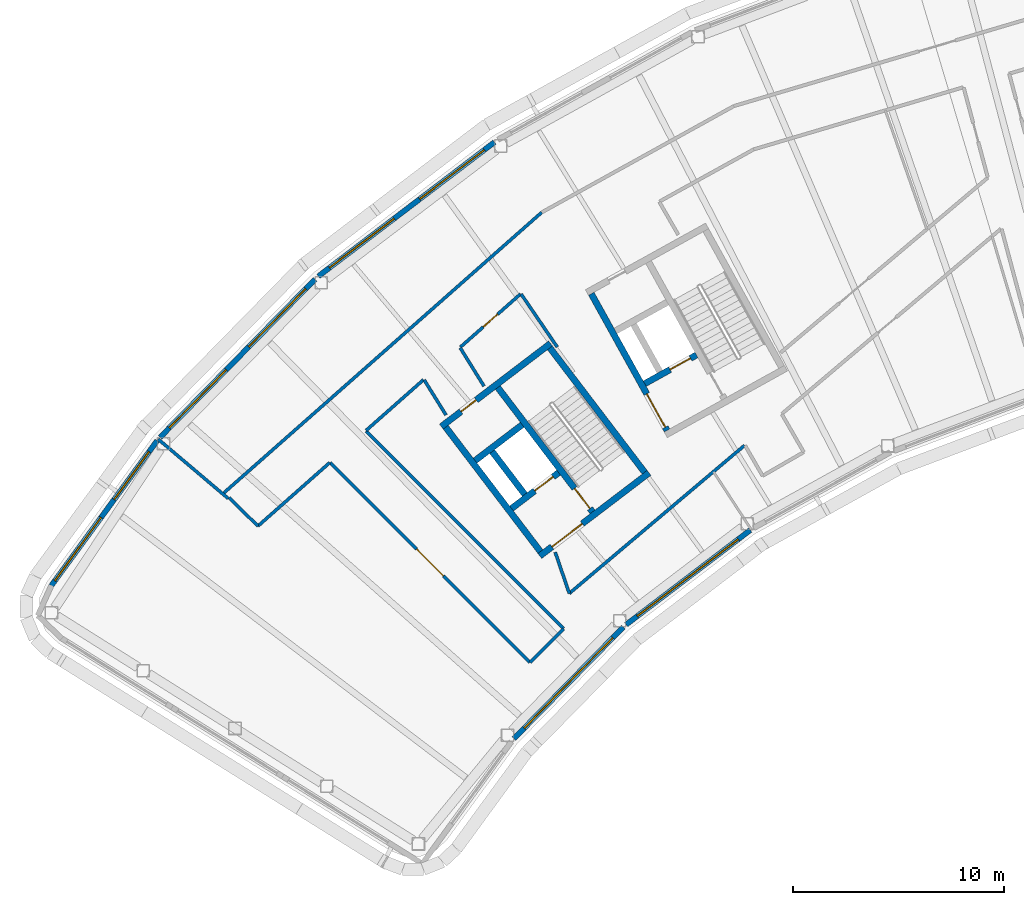
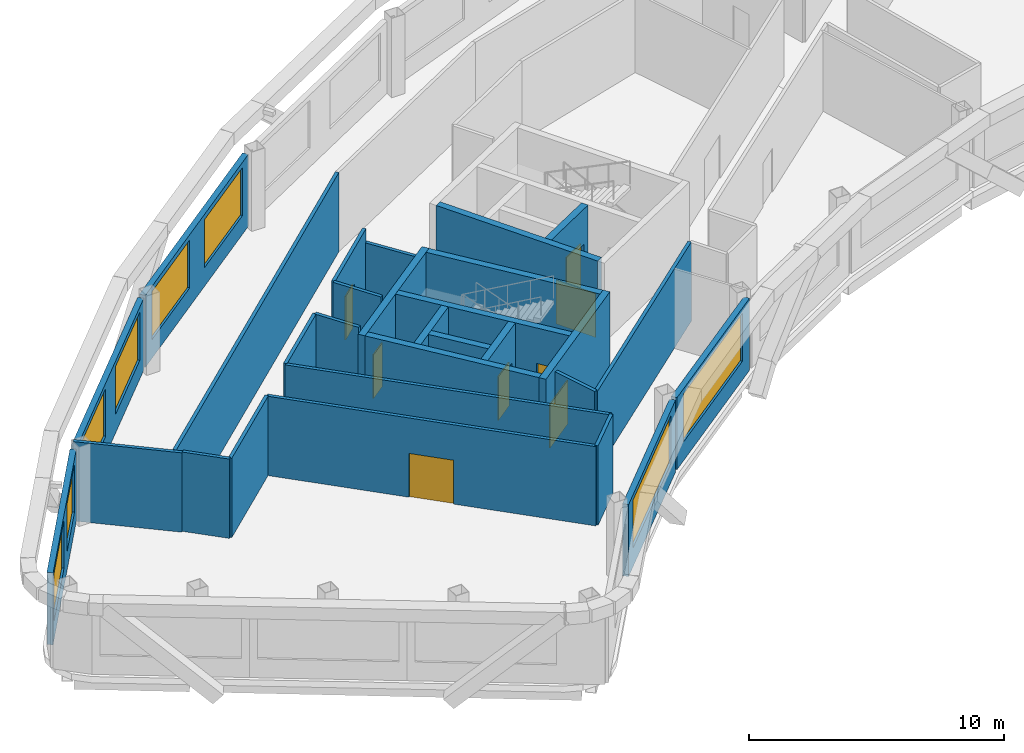
# One storey, part 5 of 17: 29 walls, 8 doors, 8 windows, 16 openings.
"""IFC4 building model written with IfcOpenShell, lengths in metres."""

from ifc_helpers import new_model, si_unit, direction, frame, frame_2d, origin, place, context, subcontext, project, spatial, rectangle, extrude, material, layer, layer_set, type_object, element, fill, save


model = new_model("IFC4")

# Units and contexts
model_context = context("Model", 3, precision=1e-05, world=origin(), true_north=direction((0.0, 1.0)))
body_context = subcontext(model_context, "Body", "Model", "MODEL_VIEW")
ifc_project = project(units=[si_unit("LENGTHUNIT", "METRE"), si_unit("AREAUNIT", "SQUARE_METRE"), si_unit("VOLUMEUNIT", "CUBIC_METRE"), si_unit("PLANEANGLEUNIT", "RADIAN"), si_unit("MASSUNIT", "GRAM", prefix="KILO")], contexts=[model_context])

# Site, building, storey
site_placement = place(None, origin())
site = spatial("IfcSite", under=ifc_project, at=site_placement, CompositionType="ELEMENT")
building_placement = place(site_placement, origin())
building = spatial("IfcBuilding", under=site, at=building_placement, Name="Tuul Gate Civic Tower", CompositionType="ELEMENT")
storey_placement = place(building_placement, frame((0.0, 0.0, 344.89990234375)))
storey = spatial("IfcBuildingStorey", under=building, at=storey_placement, Name="Level 78", CompositionType="ELEMENT", Elevation=344.89990234375)

# Wall, opening, door
ifc_material_1 = material(Name="Concrete C50/60", Category="concrete")
ifc_layer_1 = layer(ifc_material_1, 0.300048828125)
ifc_layer_set_1 = layer_set([ifc_layer_1], Name="Concrete C50/60")
wall_type_1 = type_object("IfcWallType", Name="Core wall C50/60", PredefinedType="SHEAR", material=ifc_layer_set_1)
wall_1_placement = place(storey_placement, frame((-31.19091796875, -13.669677734375, 0.0), z_axis=(0.0, 0.0, 1.0), x_axis=(-0.795606717756, -0.605813461934, 0.0)))
wall_1 = element("IfcWall", 1, at=wall_1_placement, inside=storey, type_object=wall_type_1, Name="Core wall", PredefinedType="SHEAR", context=body_context, shape_type="SweptSolid", body=[
    extrude(rectangle(XDim=6.5, YDim=0.300048828125, at=frame_2d((3.25, 0.0))), origin(), (0.0, 0.0, 1.0), 3.800048828125),
])
opening_1_placement = place(wall_1_placement, frame((3.97509765625, 0.0, 0.0)))
opening_1 = element("IfcOpeningElement", 2, at=opening_1_placement, cuts=wall_1, Name="Opening LB-W1-LOBBY-1", PredefinedType="OPENING", context=body_context, shape_type="SweptSolid", body=[
    extrude(rectangle(XDim=1.800048828125, YDim=2.10009765625, at=frame_2d((0.89990234375, 1.050048828125))), frame((0.0, 0.16015625, 0.0), z_axis=(0.0, -1.0, 0.0), x_axis=(1.0, 0.0, 0.0)), (0.0, 0.0, 1.0), 0.320068359375),
])
ifc_material_2 = material(Name="Steel", Category="steel")
door_type_1 = type_object("IfcDoorType", Name="Lobby door", OperationType="DOUBLE_DOOR_SINGLE_SWING", PredefinedType="DOOR", material=ifc_material_2)
door_1_placement = place(opening_1_placement, origin())
door_1 = element("IfcDoor", 3, at=door_1_placement, inside=storey, type_object=door_type_1, Name="Lobby door W1-LOBBY", OperationType="DOUBLE_DOOR_SINGLE_SWING", OverallHeight=2.10009765625, OverallWidth=1.800048828125, PredefinedType="DOOR", context=body_context, shape_type="SweptSolid", body=[
    extrude(rectangle(XDim=1.800048828125, YDim=2.10009765625, at=frame_2d((0.89990234375, 1.050048828125))), frame((0.0, 0.02490234375, 0.0), z_axis=(0.0, -1.0, 0.0), x_axis=(1.0, 0.0, 0.0)), (0.0, 0.0, 1.0), 0.050048828125),
])
fill(opening_1, door_1)

wall_2_placement = place(storey_placement, frame((-35.470947265625, -13.66064453125, 0.0), z_axis=(0.0, 0.0, 1.0), x_axis=(-0.795615822227, -0.605801504968, 0.0)))
wall_2 = element("IfcWall", 4, at=wall_2_placement, inside=storey, type_object=wall_type_1, Name="Core wall", PredefinedType="SHEAR", context=body_context, shape_type="SweptSolid", body=[
    extrude(rectangle(XDim=2.800048828125, YDim=0.300048828125, at=frame_2d((1.39990234375, 0.0))), origin(), (0.0, 0.0, 1.0), 3.800048828125),
])
opening_2_placement = place(wall_2_placement, frame((0.324951171875, 0.0, 0.0)))
opening_2 = element("IfcOpeningElement", 5, at=opening_2_placement, cuts=wall_2, Name="Opening LD-H1", PredefinedType="OPENING", context=body_context, shape_type="SweptSolid", body=[
    extrude(rectangle(XDim=1.10009765625, YDim=2.10009765625, at=frame_2d((0.550048828125, 1.050048828125))), frame((0.0, 0.16015625, 0.0), z_axis=(0.0, -1.0, 0.0), x_axis=(1.0, 0.0, 0.0)), (0.0, 0.0, 1.0), 0.320068359375),
])
ifc_material_3 = material(Name="Stainless steel", Category="steel")
door_type_2 = type_object("IfcDoorType", Name="Landing door", OperationType="DOUBLE_DOOR_SLIDING", PredefinedType="DOOR", material=ifc_material_3)
door_2_placement = place(opening_2_placement, origin())
door_2 = element("IfcDoor", 6, at=door_2_placement, inside=storey, type_object=door_type_2, Name="High-rise lift H1 landing door", OperationType="DOUBLE_DOOR_SLIDING", OverallHeight=2.10009765625, OverallWidth=1.10009765625, PredefinedType="DOOR", context=body_context, shape_type="SweptSolid", body=[
    extrude(rectangle(XDim=1.10009765625, YDim=2.10009765625, at=frame_2d((0.550048828125, 1.050048828125))), frame((0.0, 0.02490234375, 0.0), z_axis=(0.0, -1.0, 0.0), x_axis=(1.0, 0.0, 0.0)), (0.0, 0.0, 1.0), 0.050048828125),
])
fill(opening_2, door_2)

# Wall
wall_3_placement = place(storey_placement, frame((-37.197509765625, -11.39306640625, 0.0), z_axis=(0.0, 0.0, 1.0), x_axis=(-0.795583820278, -0.605843531707, 0.0)))
element("IfcWall", 7, at=wall_3_placement, inside=storey, type_object=wall_type_1, Name="Core wall", PredefinedType="SHEAR", context=body_context, shape_type="SweptSolid", body=[
    extrude(rectangle(XDim=2.7998046875, YDim=0.300048828125, at=frame_2d((1.39990234375, 0.0))), origin(), (0.0, 0.0, 1.0), 3.800048828125),
])

# Wall, opening, door
wall_4_placement = place(storey_placement, frame((-35.855224609375, -7.543212890625, 0.0), z_axis=(0.0, 0.0, 1.0), x_axis=(-0.79563860527, -0.605771582202, 0.0)))
wall_4 = element("IfcWall", 8, at=wall_4_placement, inside=storey, type_object=wall_type_1, Name="Core wall", PredefinedType="SHEAR", context=body_context, shape_type="SweptSolid", body=[
    extrude(rectangle(XDim=6.5, YDim=0.300048828125, at=frame_2d((3.25, 0.0))), origin(), (0.0, 0.0, 1.0), 3.800048828125),
])
opening_3_placement = place(wall_4_placement, frame((4.425048828125, 0.0, 0.0)))
opening_3 = element("IfcOpeningElement", 9, at=opening_3_placement, cuts=wall_4, Name="Opening AC-D18", PredefinedType="OPENING", context=body_context, shape_type="SweptSolid", body=[
    extrude(rectangle(XDim=0.89990234375, YDim=2.10009765625, at=frame_2d((0.449951171875, 1.050048828125))), frame((0.0, 0.16015625, 0.0), z_axis=(0.0, -1.0, 0.0), x_axis=(1.0, 0.0, 0.0)), (0.0, 0.0, 1.0), 0.320068359375),
])
ifc_material_4 = material(Name="Timber door leaf", Category="wood")
door_type_3 = type_object("IfcDoorType", Name="Door D09", OperationType="NOTDEFINED", PredefinedType="DOOR", material=ifc_material_4)
door_3_placement = place(opening_3_placement, origin())
door_3 = element("IfcDoor", 10, at=door_3_placement, inside=storey, type_object=door_type_3, Name="Door AC-D18", OperationType="SINGLE_SWING_LEFT", OverallHeight=2.10009765625, OverallWidth=0.89990234375, PredefinedType="DOOR", context=body_context, shape_type="SweptSolid", body=[
    extrude(rectangle(XDim=0.89990234375, YDim=2.10009765625, at=frame_2d((0.449951171875, 1.050048828125))), frame((0.0, 0.02490234375, 0.0), z_axis=(0.0, -1.0, 0.0), x_axis=(1.0, 0.0, 0.0)), (0.0, 0.0, 1.0), 0.050048828125),
])
fill(opening_3, door_3)

# Wall
wall_5_placement = place(storey_placement, frame((-31.401123046875, -13.64111328125, 0.0), z_axis=(0.0, 0.0, 1.0), x_axis=(-0.605769822278, 0.795639945213, 0.0)))
element("IfcWall", 11, at=wall_5_placement, inside=storey, type_object=wall_type_1, Name="Core wall", PredefinedType="SHEAR", context=body_context, shape_type="SweptSolid", body=[
    extrude(rectangle(XDim=7.39990234375, YDim=0.300048828125, at=frame_2d((3.699951171875, 0.0))), origin(), (0.0, 0.0, 1.0), 3.800048828125),
])

# Wall, opening, door
wall_6_placement = place(storey_placement, frame((-33.867431640625, -15.51904296875, 0.0), z_axis=(0.0, 0.0, 1.0), x_axis=(-0.605769822278, 0.795639945213, 0.0)))
wall_6 = element("IfcWall", 12, at=wall_6_placement, inside=storey, type_object=wall_type_1, Name="Core wall", PredefinedType="SHEAR", context=body_context, shape_type="SweptSolid", body=[
    extrude(rectangle(XDim=7.39990234375, YDim=0.300048828125, at=frame_2d((3.699951171875, 0.0))), origin(), (0.0, 0.0, 1.0), 3.800048828125),
])
opening_4_placement = place(wall_6_placement, frame((0.199951171875, 0.0, 0.0)))
opening_4 = element("IfcOpeningElement", 13, at=opening_4_placement, cuts=wall_6, Name="Opening SD-ST-1", PredefinedType="OPENING", context=body_context, shape_type="SweptSolid", body=[
    extrude(rectangle(XDim=1.199951171875, YDim=2.10009765625, at=frame_2d((0.60009765625, 1.050048828125))), frame((0.0, 0.16015625, 0.0), z_axis=(0.0, -1.0, 0.0), x_axis=(1.0, 0.0, 0.0)), (0.0, 0.0, 1.0), 0.320068359375),
])
ifc_material_5 = material(Name="Steel", Category="steel")
door_type_4 = type_object("IfcDoorType", Name="Stair door", OperationType="NOTDEFINED", PredefinedType="DOOR", material=ifc_material_5)
door_4_placement = place(opening_4_placement, origin())
door_4 = element("IfcDoor", 14, at=door_4_placement, inside=storey, type_object=door_type_4, Name="Stair door ST-1", OperationType="SINGLE_SWING_LEFT", OverallHeight=2.10009765625, OverallWidth=1.199951171875, PredefinedType="DOOR", context=body_context, shape_type="SweptSolid", body=[
    extrude(rectangle(XDim=1.199951171875, YDim=2.10009765625, at=frame_2d((0.60009765625, 1.050048828125))), frame((0.0, 0.02490234375, 0.0), z_axis=(0.0, -1.0, 0.0), x_axis=(1.0, 0.0, 0.0)), (0.0, 0.0, 1.0), 0.050048828125),
])
fill(opening_4, door_4)

# Walls
wall_7_placement = place(storey_placement, frame((-37.073486328125, -14.6923828125, 0.0), z_axis=(0.0, 0.0, 1.0), x_axis=(-0.605728760074, 0.79567120673, 0.0)))
element("IfcWall", 15, at=wall_7_placement, inside=storey, type_object=wall_type_1, Name="Core wall", PredefinedType="SHEAR", context=body_context, shape_type="SweptSolid", body=[
    extrude(rectangle(XDim=2.550048828125, YDim=0.300048828125, at=frame_2d((1.27490234375, 0.0))), origin(), (0.0, 0.0, 1.0), 3.800048828125),
])
wall_8_placement = place(storey_placement, frame((-36.333984375, -17.397216796875, 0.0), z_axis=(0.0, 0.0, 1.0), x_axis=(-0.605753921168, 0.795652051458, 0.0)))
element("IfcWall", 16, at=wall_8_placement, inside=storey, type_object=wall_type_1, Name="Core wall", PredefinedType="SHEAR", context=body_context, shape_type="SweptSolid", body=[
    extrude(rectangle(XDim=7.400146484375, YDim=0.300048828125, at=frame_2d((3.7001953125, 0.0))), origin(), (0.0, 0.0, 1.0), 3.800048828125),
])

# Wall, opening, door
wall_9_placement = place(storey_placement, frame((-28.94580078125, -8.090087890625, 0.0), z_axis=(0.0, 0.0, 1.0), x_axis=(-0.874629840737, -0.484791338301, 0.0)))
wall_9 = element("IfcWall", 17, at=wall_9_placement, inside=storey, type_object=wall_type_1, Name="Core wall", PredefinedType="SHEAR", context=body_context, shape_type="SweptSolid", body=[
    extrude(rectangle(XDim=2.800048828125, YDim=0.300048828125, at=frame_2d((1.39990234375, 0.0))), origin(), (0.0, 0.0, 1.0), 3.800048828125),
])
opening_5_placement = place(wall_9_placement, frame((0.324951171875, 0.0, 0.0)))
opening_5 = element("IfcOpeningElement", 18, at=opening_5_placement, cuts=wall_9, Name="Opening LD-FF-1", PredefinedType="OPENING", context=body_context, shape_type="SweptSolid", body=[
    extrude(rectangle(XDim=1.10009765625, YDim=2.10009765625, at=frame_2d((0.550048828125, 1.050048828125))), frame((0.0, 0.16015625, 0.0), z_axis=(0.0, -1.0, 0.0), x_axis=(1.0, 0.0, 0.0)), (0.0, 0.0, 1.0), 0.320068359375),
])
door_5_placement = place(opening_5_placement, origin())
door_5 = element("IfcDoor", 19, at=door_5_placement, inside=storey, type_object=door_type_2, Name="Fire-fighting lift FF-1 landing door", OperationType="DOUBLE_DOOR_SLIDING", OverallHeight=2.10009765625, OverallWidth=1.10009765625, PredefinedType="DOOR", context=body_context, shape_type="SweptSolid", body=[
    extrude(rectangle(XDim=1.10009765625, YDim=2.10009765625, at=frame_2d((0.550048828125, 1.050048828125))), frame((0.0, 0.02490234375, 0.0), z_axis=(0.0, -1.0, 0.0), x_axis=(1.0, 0.0, 0.0)), (0.0, 0.0, 1.0), 0.050048828125),
])
fill(opening_5, door_5)

wall_10_placement = place(storey_placement, frame((-30.33837890625, -11.6630859375, 0.0), z_axis=(0.0, 0.0, 1.0), x_axis=(-0.484751894226, 0.874651702704, 0.0)))
wall_10 = element("IfcWall", 20, at=wall_10_placement, inside=storey, type_object=wall_type_1, Name="Core wall", PredefinedType="SHEAR", context=body_context, shape_type="SweptSolid", body=[
    extrude(rectangle(XDim=7.39990234375, YDim=0.300048828125, at=frame_2d((3.699951171875, 0.0))), origin(), (0.0, 0.0, 1.0), 3.800048828125),
])
opening_6_placement = place(wall_10_placement, frame((0.175048828125, 0.0, 0.0)))
opening_6 = element("IfcOpeningElement", 21, at=opening_6_placement, cuts=wall_10, Name="Opening LB-W2-FLOBBY-1", PredefinedType="OPENING", context=body_context, shape_type="SweptSolid", body=[
    extrude(rectangle(XDim=1.800048828125, YDim=2.10009765625, at=frame_2d((0.89990234375, 1.050048828125))), frame((0.0, 0.16015625, 0.0), z_axis=(0.0, -1.0, 0.0), x_axis=(1.0, 0.0, 0.0)), (0.0, 0.0, 1.0), 0.320068359375),
])
door_6_placement = place(opening_6_placement, origin())
door_6 = element("IfcDoor", 22, at=door_6_placement, inside=storey, type_object=door_type_1, Name="Lobby door W2-FLOBBY", OperationType="DOUBLE_DOOR_SINGLE_SWING", OverallHeight=2.10009765625, OverallWidth=1.800048828125, PredefinedType="DOOR", context=body_context, shape_type="SweptSolid", body=[
    extrude(rectangle(XDim=1.800048828125, YDim=2.10009765625, at=frame_2d((0.89990234375, 1.050048828125))), frame((0.0, 0.02490234375, 0.0), z_axis=(0.0, -1.0, 0.0), x_axis=(1.0, 0.0, 0.0)), (0.0, 0.0, 1.0), 0.050048828125),
])
fill(opening_6, door_6)

# Walls
ifc_material_6 = material(Name="Gypsum board partition")
ifc_layer_2 = layer(ifc_material_6, 0.14990234375)
ifc_layer_set_2 = layer_set([ifc_layer_2], Name="Gypsum board partition")
wall_type_2 = type_object("IfcWallType", Name="Corridor wall P150", PredefinedType="PARTITIONING", material=ifc_layer_set_2)
wall_11_placement = place(storey_placement, frame((-51.30908203125, -14.609130859375, 0.0), z_axis=(0.0, 0.0, 1.0), x_axis=(0.749746527086, 0.661725128072, 0.0)))
element("IfcWall", 23, at=wall_11_placement, inside=storey, type_object=wall_type_2, Name="p022", PredefinedType="PARTITIONING", context=body_context, shape_type="SweptSolid", body=[
    extrude(rectangle(XDim=20.05078125, YDim=0.14990234375, at=frame_2d((10.025390625, 0.0))), origin(), (0.0, 0.0, 1.0), 3.800048828125),
])
wall_12_placement = place(storey_placement, frame((-51.072509765625, -14.843505859375, 0.0), z_axis=(0.0, 0.0, 1.0), x_axis=(0.711739651445, -0.702443356123, 0.0)))
element("IfcWall", 24, at=wall_12_placement, inside=storey, type_object=wall_type_2, Name="p023", PredefinedType="PARTITIONING", context=body_context, shape_type="SweptSolid", body=[
    extrude(rectangle(XDim=1.917236328125, YDim=0.14990234375, at=frame_2d((0.95849609375, 0.0))), origin(), (0.0, 0.0, 1.0), 3.800048828125),
])
wall_13_placement = place(storey_placement, frame((-54.4326171875, -12.07421875, 0.0), z_axis=(0.0, 0.0, 1.0), x_axis=(0.762882913922, -0.646536665353, 0.0)))
element("IfcWall", 25, at=wall_13_placement, inside=storey, type_object=wall_type_2, Name="p024", PredefinedType="PARTITIONING", context=body_context, shape_type="SweptSolid", body=[
    extrude(rectangle(XDim=4.34375, YDim=0.14990234375, at=frame_2d((2.171875, 0.0))), origin(), (0.0, 0.0, 1.0), 3.800048828125),
])
wall_14_placement = place(storey_placement, frame((-34.96484375, -19.378173828125, 0.0), z_axis=(0.0, 0.0, 1.0), x_axis=(0.763923474365, 0.64530684586, 0.0)))
element("IfcWall", 26, at=wall_14_placement, inside=storey, type_object=wall_type_2, Name="p049", PredefinedType="PARTITIONING", context=body_context, shape_type="SweptSolid", body=[
    extrude(rectangle(XDim=10.855224609375, YDim=0.14990234375, at=frame_2d((5.427734375, 0.0))), origin(), (0.0, 0.0, 1.0), 3.800048828125),
])
wall_15_placement = place(storey_placement, frame((-49.7080078125, -16.190185546875, 0.0), z_axis=(0.0, 0.0, 1.0), x_axis=(0.749312934638, 0.662216071977, 0.0)))
element("IfcWall", 27, at=wall_15_placement, inside=storey, type_object=wall_type_2, Name="p061", PredefinedType="PARTITIONING", context=body_context, shape_type="SweptSolid", body=[
    extrude(rectangle(XDim=4.535400390625, YDim=0.14990234375, at=frame_2d((2.267578125, 0.0))), origin(), (0.0, 0.0, 1.0), 3.800048828125),
])
wall_16_placement = place(storey_placement, frame((-44.59033203125, -11.66748046875, 0.0), z_axis=(0.0, 0.0, 1.0), x_axis=(0.749319777686, 0.662208328827, 0.0)))
element("IfcWall", 28, at=wall_16_placement, inside=storey, type_object=wall_type_2, Name="p062", PredefinedType="PARTITIONING", context=body_context, shape_type="SweptSolid", body=[
    extrude(rectangle(XDim=3.632080078125, YDim=0.14990234375, at=frame_2d((1.81591796875, 0.0))), origin(), (0.0, 0.0, 1.0), 3.800048828125),
])

# Wall, opening, door
wall_17_placement = place(storey_placement, frame((-40.128173828125, -7.72412109375, 0.0), z_axis=(0.0, 0.0, 1.0), x_axis=(0.749306145522, 0.662223753941, 0.0)))
wall_17 = element("IfcWall", 29, at=wall_17_placement, inside=storey, type_object=wall_type_2, Name="p063", PredefinedType="PARTITIONING", context=body_context, shape_type="SweptSolid", body=[
    extrude(rectangle(XDim=3.80712890625, YDim=0.14990234375, at=frame_2d((1.903564453125, 0.0))), origin(), (0.0, 0.0, 1.0), 3.800048828125),
])
opening_7_placement = place(wall_17_placement, frame((1.45361328125, 0.0, 0.0)))
opening_7 = element("IfcOpeningElement", 30, at=opening_7_placement, cuts=wall_17, Name="Opening AC-D12", PredefinedType="OPENING", context=body_context, shape_type="SweptSolid", body=[
    extrude(rectangle(XDim=0.89990234375, YDim=2.10009765625, at=frame_2d((0.449951171875, 1.050048828125))), frame((0.0, 0.0849609375, 0.0), z_axis=(0.0, -1.0, 0.0), x_axis=(1.0, 0.0, 0.0)), (0.0, 0.0, 1.0), 0.169921875),
])
door_7_placement = place(opening_7_placement, frame((0.89990234375, 0.0, 0.0), z_axis=(0.0, 0.0, 1.0), x_axis=(-1.0, 0.0, 0.0)))
door_7 = element("IfcDoor", 31, at=door_7_placement, inside=storey, type_object=door_type_3, Name="Door AC-D12", OperationType="SINGLE_SWING_LEFT", OverallHeight=2.10009765625, OverallWidth=0.89990234375, PredefinedType="DOOR", context=body_context, shape_type="SweptSolid", body=[
    extrude(rectangle(XDim=0.89990234375, YDim=2.10009765625, at=frame_2d((0.449951171875, 1.050048828125))), frame((0.0, 0.02490234375, 0.0), z_axis=(0.0, -1.0, 0.0), x_axis=(1.0, 0.0, 0.0)), (0.0, 0.0, 1.0), 0.050048828125),
])
fill(opening_7, door_7)

wall_18_placement = place(storey_placement, frame((-46.287109375, -13.18408203125, 0.0), z_axis=(0.0, 0.0, 1.0), x_axis=(0.707161536948, -0.707052021185, 0.0)))
wall_18 = element("IfcWall", 32, at=wall_18_placement, inside=storey, type_object=wall_type_2, Name="p064", PredefinedType="PARTITIONING", context=body_context, shape_type="SweptSolid", body=[
    extrude(rectangle(XDim=13.375732421875, YDim=0.14990234375, at=frame_2d((6.68798828125, 0.0))), origin(), (0.0, 0.0, 1.0), 3.800048828125),
])
opening_8_placement = place(wall_18_placement, frame((5.787841796875, 0.0, 0.0)))
opening_8 = element("IfcOpeningElement", 33, at=opening_8_placement, cuts=wall_18, Name="Opening AC-D10", PredefinedType="OPENING", context=body_context, shape_type="SweptSolid", body=[
    extrude(rectangle(XDim=1.800048828125, YDim=2.10009765625, at=frame_2d((0.89990234375, 1.050048828125))), frame((0.0, 0.0849609375, 0.0), z_axis=(0.0, -1.0, 0.0), x_axis=(1.0, 0.0, 0.0)), (0.0, 0.0, 1.0), 0.169921875),
])
ifc_material_7 = material(Name="Timber door leaf, double", Category="wood")
door_type_5 = type_object("IfcDoorType", Name="Door D18", OperationType="DOUBLE_DOOR_SINGLE_SWING", PredefinedType="DOOR", material=ifc_material_7)
door_8_placement = place(opening_8_placement, frame((1.800048828125, 0.0, 0.0), z_axis=(0.0, 0.0, 1.0), x_axis=(-1.0, 0.0, 0.0)))
door_8 = element("IfcDoor", 34, at=door_8_placement, inside=storey, type_object=door_type_5, Name="Door AC-D10", OperationType="DOUBLE_DOOR_SINGLE_SWING", OverallHeight=2.10009765625, OverallWidth=1.800048828125, PredefinedType="DOOR", context=body_context, shape_type="SweptSolid", body=[
    extrude(rectangle(XDim=1.800048828125, YDim=2.10009765625, at=frame_2d((0.900146484375, 1.050048828125))), frame((0.0, 0.02490234375, 0.0), z_axis=(0.0, -1.0, 0.0), x_axis=(1.0, 0.0, 0.0)), (0.0, 0.0, 1.0), 0.050048828125),
])
fill(opening_8, door_8)

# Walls
wall_19_placement = place(storey_placement, frame((-36.828369140625, -22.641357421875, 0.0), z_axis=(0.0, 0.0, 1.0), x_axis=(0.707106781187, 0.707106781187, 0.0)))
element("IfcWall", 35, at=wall_19_placement, inside=storey, type_object=wall_type_2, Name="p065", PredefinedType="PARTITIONING", context=body_context, shape_type="SweptSolid", body=[
    extrude(rectangle(XDim=2.25, YDim=0.14990234375, at=frame_2d((1.125, 0.0))), origin(), (0.0, 0.0, 1.0), 3.800048828125),
])
wall_20_placement = place(storey_placement, frame((-44.59130859375, -11.696533203125, 0.0), z_axis=(0.0, 0.0, 1.0), x_axis=(0.707116009033, -0.70709755322, 0.0)))
element("IfcWall", 36, at=wall_20_placement, inside=storey, type_object=wall_type_2, Name="p066", PredefinedType="PARTITIONING", context=body_context, shape_type="SweptSolid", body=[
    extrude(rectangle(XDim=13.228271484375, YDim=0.14990234375, at=frame_2d((6.6142578125, 0.0))), origin(), (0.0, 0.0, 1.0), 3.800048828125),
])
wall_21_placement = place(storey_placement, frame((-41.83837890625, -9.2666015625, 0.0), z_axis=(0.0, 0.0, 1.0), x_axis=(0.527626074705, -0.849476736168, 0.0)))
element("IfcWall", 37, at=wall_21_placement, inside=storey, type_object=wall_type_2, Name="p067", PredefinedType="PARTITIONING", context=body_context, shape_type="SweptSolid", body=[
    extrude(rectangle(XDim=1.96240234375, YDim=0.14990234375, at=frame_2d((0.981201171875, 0.0))), origin(), (0.0, 0.0, 1.0), 3.800048828125),
])
wall_22_placement = place(storey_placement, frame((-35.6328125, -17.428955078125, 0.0), z_axis=(0.0, 0.0, 1.0), x_axis=(0.324281932191, -0.94596047933, 0.0)))
element("IfcWall", 38, at=wall_22_placement, inside=storey, type_object=wall_type_2, Name="p068", PredefinedType="PARTITIONING", context=body_context, shape_type="SweptSolid", body=[
    extrude(rectangle(XDim=2.061279296875, YDim=0.14990234375, at=frame_2d((1.03076171875, 0.0))), origin(), (0.0, 0.0, 1.0), 3.800048828125),
])
wall_23_placement = place(storey_placement, frame((-40.1318359375, -7.74951171875, 0.0), z_axis=(0.0, 0.0, 1.0), x_axis=(0.527397005273, -0.849618972734, 0.0)))
element("IfcWall", 39, at=wall_23_placement, inside=storey, type_object=wall_type_2, Name="p075", PredefinedType="PARTITIONING", context=body_context, shape_type="SweptSolid", body=[
    extrude(rectangle(XDim=2.135986328125, YDim=0.14990234375, at=frame_2d((1.06787109375, 0.0))), origin(), (0.0, 0.0, 1.0), 3.800048828125),
])
ifc_material_8 = material(Name="Gypsum board partition")
ifc_layer_3 = layer(ifc_material_8, 0.14990234375)
ifc_layer_set_3 = layer_set([ifc_layer_3], Name="Gypsum board partition")
wall_type_3 = type_object("IfcWallType", Name="Corridor wall P150 3150 HIGH", PredefinedType="PARTITIONING", material=ifc_layer_set_3)
wall_24_placement = place(storey_placement, frame((-37.24560546875, -5.20654296875, 0.0), z_axis=(0.0, 0.0, 1.0), x_axis=(0.56316194011, -0.826346555152, 0.0)))
element("IfcWall", 40, at=wall_24_placement, inside=storey, type_object=wall_type_3, Name="p076", PredefinedType="PARTITIONING", context=body_context, shape_type="SweptSolid", body=[
    extrude(rectangle(XDim=3.032470703125, YDim=0.14990234375, at=frame_2d((1.51611328125, 0.0))), origin(), (0.0, 0.0, 1.0), 3.150146484375),
])

# Wall, openings, windows
ifc_material_9 = material(Name="Precast concrete C40/50", Category="concrete")
ifc_layer_4 = layer(ifc_material_9, 0.25)
ifc_layer_set_4 = layer_set([ifc_layer_4], Name="Precast concrete C40/50")
wall_type_4 = type_object("IfcWallType", Name="External wall", PredefinedType="STANDARD", material=ifc_layer_set_4)
wall_25_placement = place(storey_placement, frame((-38.510009765625, 1.985595703125, 0.0), z_axis=(0.0, 0.0, 1.0), x_axis=(-0.795609236307, -0.605810154342, 0.0)))
wall_25 = element("IfcWall", 41, at=wall_25_placement, inside=storey, type_object=wall_type_4, Name="External wall", PredefinedType="STANDARD", context=body_context, shape_type="SweptSolid", body=[
    extrude(rectangle(XDim=10.4794921875, YDim=0.25, at=frame_2d((5.23974609375, 0.0))), origin(), (0.0, 0.0, 1.0), 3.4501953125),
])
opening_9_placement = place(wall_25_placement, frame((0.598876953125, 0.0, 0.89990234375)))
opening_9 = element("IfcOpeningElement", 42, at=opening_9_placement, cuts=wall_25, Name="Opening W22", PredefinedType="OPENING", context=body_context, shape_type="SweptSolid", body=[
    extrude(rectangle(XDim=3.85009765625, YDim=2.300048828125, at=frame_2d((1.925048828125, 1.14990234375))), frame((0.0, 0.135009765625, 0.0), z_axis=(0.0, -1.0, 0.0), x_axis=(1.0, 0.0, 0.0)), (0.0, 0.0, 1.0), 0.27001953125),
])
opening_10_placement = place(wall_25_placement, frame((5.97021484375, 0.0, 0.89990234375)))
opening_10 = element("IfcOpeningElement", 43, at=opening_10_placement, cuts=wall_25, Name="Opening W22", PredefinedType="OPENING", context=body_context, shape_type="SweptSolid", body=[
    extrude(rectangle(XDim=3.85009765625, YDim=2.300048828125, at=frame_2d((1.925048828125, 1.14990234375))), frame((0.0, 0.135009765625, 0.0), z_axis=(0.0, -1.0, 0.0), x_axis=(1.0, 0.0, 0.0)), (0.0, 0.0, 1.0), 0.27001953125),
])
ifc_material_10 = material(Name="Glass", Category="glass")
window_type_1 = type_object("IfcWindowType", Name="Window W22 3850 x 2300", PartitioningType="SINGLE_PANEL", PredefinedType="WINDOW", material=ifc_material_10)
window_1_placement = place(opening_9_placement, origin())
window_1 = element("IfcWindow", 44, at=window_1_placement, inside=storey, type_object=window_type_1, Name="Window", OverallHeight=2.300048828125, OverallWidth=3.85009765625, PartitioningType="SINGLE_PANEL", PredefinedType="WINDOW", context=body_context, shape_type="SweptSolid", body=[
    extrude(rectangle(XDim=3.85009765625, YDim=2.300048828125, at=frame_2d((1.925048828125, 1.14990234375))), frame((0.0, 0.030029296875, 0.0), z_axis=(0.0, -1.0, 0.0), x_axis=(1.0, 0.0, 0.0)), (0.0, 0.0, 1.0), 0.06005859375),
])
fill(opening_9, window_1)
window_2_placement = place(opening_10_placement, origin())
window_2 = element("IfcWindow", 45, at=window_2_placement, inside=storey, type_object=window_type_1, Name="Window", OverallHeight=2.300048828125, OverallWidth=3.85009765625, PartitioningType="SINGLE_PANEL", PredefinedType="WINDOW", context=body_context, shape_type="SweptSolid", body=[
    extrude(rectangle(XDim=3.85009765625, YDim=2.300048828125, at=frame_2d((1.925048828125, 1.14990234375))), frame((0.0, 0.030029296875, 0.0), z_axis=(0.0, -1.0, 0.0), x_axis=(1.0, 0.0, 0.0)), (0.0, 0.0, 1.0), 0.06005859375),
])
fill(opening_10, window_2)

wall_26_placement = place(storey_placement, frame((-47.006103515625, -4.505615234375, 0.0), z_axis=(0.0, 0.0, 1.0), x_axis=(-0.700035068633, -0.71410846703, 0.0)))
wall_26 = element("IfcWall", 46, at=wall_26_placement, inside=storey, type_object=wall_type_4, Name="External wall", PredefinedType="STANDARD", context=body_context, shape_type="SweptSolid", body=[
    extrude(rectangle(XDim=10.47802734375, YDim=0.25, at=frame_2d((5.239013671875, 0.0))), origin(), (0.0, 0.0, 1.0), 3.4501953125),
])
opening_11_placement = place(wall_26_placement, frame((0.630126953125, 0.0, 0.89990234375)))
opening_11 = element("IfcOpeningElement", 47, at=opening_11_placement, cuts=wall_26, Name="Opening W22", PredefinedType="OPENING", context=body_context, shape_type="SweptSolid", body=[
    extrude(rectangle(XDim=3.85009765625, YDim=2.300048828125, at=frame_2d((1.925048828125, 1.14990234375))), frame((0.0, 0.135009765625, 0.0), z_axis=(0.0, -1.0, 0.0), x_axis=(1.0, 0.0, 0.0)), (0.0, 0.0, 1.0), 0.27001953125),
])
opening_12_placement = place(wall_26_placement, frame((6.001220703125, 0.0, 0.89990234375)))
opening_12 = element("IfcOpeningElement", 48, at=opening_12_placement, cuts=wall_26, Name="Opening W22", PredefinedType="OPENING", context=body_context, shape_type="SweptSolid", body=[
    extrude(rectangle(XDim=3.85009765625, YDim=2.300048828125, at=frame_2d((1.925048828125, 1.14990234375))), frame((0.0, 0.135009765625, 0.0), z_axis=(0.0, -1.0, 0.0), x_axis=(1.0, 0.0, 0.0)), (0.0, 0.0, 1.0), 0.27001953125),
])
window_3_placement = place(opening_11_placement, origin())
window_3 = element("IfcWindow", 49, at=window_3_placement, inside=storey, type_object=window_type_1, Name="Window", OverallHeight=2.300048828125, OverallWidth=3.85009765625, PartitioningType="SINGLE_PANEL", PredefinedType="WINDOW", context=body_context, shape_type="SweptSolid", body=[
    extrude(rectangle(XDim=3.85009765625, YDim=2.300048828125, at=frame_2d((1.925048828125, 1.14990234375))), frame((0.0, 0.030029296875, 0.0), z_axis=(0.0, -1.0, 0.0), x_axis=(1.0, 0.0, 0.0)), (0.0, 0.0, 1.0), 0.06005859375),
])
fill(opening_11, window_3)
window_4_placement = place(opening_12_placement, origin())
window_4 = element("IfcWindow", 50, at=window_4_placement, inside=storey, type_object=window_type_1, Name="Window", OverallHeight=2.300048828125, OverallWidth=3.85009765625, PartitioningType="SINGLE_PANEL", PredefinedType="WINDOW", context=body_context, shape_type="SweptSolid", body=[
    extrude(rectangle(XDim=3.85009765625, YDim=2.300048828125, at=frame_2d((1.925048828125, 1.14990234375))), frame((0.0, 0.030029296875, 0.0), z_axis=(0.0, -1.0, 0.0), x_axis=(1.0, 0.0, 0.0)), (0.0, 0.0, 1.0), 0.06005859375),
])
fill(opening_12, window_4)

wall_27_placement = place(storey_placement, frame((-54.47998046875, -12.147705078125, 0.0), z_axis=(0.0, 0.0, 1.0), x_axis=(-0.589757523793, -0.807580375647, 0.0)))
wall_27 = element("IfcWall", 51, at=wall_27_placement, inside=storey, type_object=wall_type_4, Name="External wall", PredefinedType="STANDARD", context=body_context, shape_type="SweptSolid", body=[
    extrude(rectangle(XDim=8.507080078125, YDim=0.25, at=frame_2d((4.25341796875, 0.0))), origin(), (0.0, 0.0, 1.0), 3.4501953125),
])
opening_13_placement = place(wall_27_placement, frame((0.654296875, 0.0, 0.89990234375)))
opening_13 = element("IfcOpeningElement", 52, at=opening_13_placement, cuts=wall_27, Name="Opening W23", PredefinedType="OPENING", context=body_context, shape_type="SweptSolid", body=[
    extrude(rectangle(XDim=2.800048828125, YDim=2.300048828125, at=frame_2d((1.39990234375, 1.14990234375))), frame((0.0, 0.135009765625, 0.0), z_axis=(0.0, -1.0, 0.0), x_axis=(1.0, 0.0, 0.0)), (0.0, 0.0, 1.0), 0.27001953125),
])
opening_14_placement = place(wall_27_placement, frame((4.506103515625, 0.0, 0.89990234375)))
opening_14 = element("IfcOpeningElement", 53, at=opening_14_placement, cuts=wall_27, Name="Opening W21", PredefinedType="OPENING", context=body_context, shape_type="SweptSolid", body=[
    extrude(rectangle(XDim=3.699951171875, YDim=2.300048828125, at=frame_2d((1.85009765625, 1.14990234375))), frame((0.0, 0.135009765625, 0.0), z_axis=(0.0, -1.0, 0.0), x_axis=(1.0, 0.0, 0.0)), (0.0, 0.0, 1.0), 0.27001953125),
])
ifc_material_11 = material(Name="Glass", Category="glass")
window_type_2 = type_object("IfcWindowType", Name="Window W21 3700 x 2300", PartitioningType="SINGLE_PANEL", PredefinedType="WINDOW", material=ifc_material_11)
window_5_placement = place(opening_14_placement, origin())
window_5 = element("IfcWindow", 54, at=window_5_placement, inside=storey, type_object=window_type_2, Name="Window", OverallHeight=2.300048828125, OverallWidth=3.699951171875, PartitioningType="SINGLE_PANEL", PredefinedType="WINDOW", context=body_context, shape_type="SweptSolid", body=[
    extrude(rectangle(XDim=3.699951171875, YDim=2.300048828125, at=frame_2d((1.85009765625, 1.14990234375))), frame((0.0, 0.030029296875, 0.0), z_axis=(0.0, -1.0, 0.0), x_axis=(1.0, 0.0, 0.0)), (0.0, 0.0, 1.0), 0.06005859375),
])
fill(opening_14, window_5)
ifc_material_12 = material(Name="Glass", Category="glass")
window_type_3 = type_object("IfcWindowType", Name="Window W23 2800 x 2300", PartitioningType="SINGLE_PANEL", PredefinedType="WINDOW", material=ifc_material_12)
window_6_placement = place(opening_13_placement, origin())
window_6 = element("IfcWindow", 55, at=window_6_placement, inside=storey, type_object=window_type_3, Name="Window", OverallHeight=2.300048828125, OverallWidth=2.800048828125, PartitioningType="SINGLE_PANEL", PredefinedType="WINDOW", context=body_context, shape_type="SweptSolid", body=[
    extrude(rectangle(XDim=2.800048828125, YDim=2.300048828125, at=frame_2d((1.39990234375, 1.14990234375))), frame((0.0, 0.030029296875, 0.0), z_axis=(0.0, -1.0, 0.0), x_axis=(1.0, 0.0, 0.0)), (0.0, 0.0, 1.0), 0.06005859375),
])
fill(opening_13, window_6)

# Wall, opening, window
wall_28_placement = place(storey_placement, frame((-37.589111328125, -26.25439453125, 0.0), z_axis=(0.0, 0.0, 1.0), x_axis=(0.700105084669, 0.714039824114, 0.0)))
wall_28 = element("IfcWall", 56, at=wall_28_placement, inside=storey, type_object=wall_type_4, Name="External wall", PredefinedType="STANDARD", context=body_context, shape_type="SweptSolid", body=[
    extrude(rectangle(XDim=7.3935546875, YDim=0.25, at=frame_2d((3.69677734375, 0.0))), origin(), (0.0, 0.0, 1.0), 3.4501953125),
])
opening_15_placement = place(wall_28_placement, frame((0.698486328125, 0.0, 0.89990234375)))
opening_15 = element("IfcOpeningElement", 57, at=opening_15_placement, cuts=wall_28, Name="Opening W26", PredefinedType="OPENING", context=body_context, shape_type="SweptSolid", body=[
    extrude(rectangle(XDim=6.0, YDim=2.300048828125, at=frame_2d((3.0, 1.14990234375))), frame((0.0, 0.135009765625, 0.0), z_axis=(0.0, -1.0, 0.0), x_axis=(1.0, 0.0, 0.0)), (0.0, 0.0, 1.0), 0.27001953125),
])
ifc_material_13 = material(Name="Glass", Category="glass")
window_type_4 = type_object("IfcWindowType", Name="Window W26 6000 x 2300", PartitioningType="SINGLE_PANEL", PredefinedType="WINDOW", material=ifc_material_13)
window_7_placement = place(opening_15_placement, origin())
window_7 = element("IfcWindow", 58, at=window_7_placement, inside=storey, type_object=window_type_4, Name="Window", OverallHeight=2.300048828125, OverallWidth=6.0, PartitioningType="SINGLE_PANEL", PredefinedType="WINDOW", context=body_context, shape_type="SweptSolid", body=[
    extrude(rectangle(XDim=6.0, YDim=2.300048828125, at=frame_2d((3.0, 1.14990234375))), frame((0.0, 0.030029296875, 0.0), z_axis=(0.0, -1.0, 0.0), x_axis=(1.0, 0.0, 0.0)), (0.0, 0.0, 1.0), 0.06005859375),
])
fill(opening_15, window_7)

wall_29_placement = place(storey_placement, frame((-32.27490234375, -20.856201171875, 0.0), z_axis=(0.0, 0.0, 1.0), x_axis=(0.795573529095, 0.605857045683, 0.0)))
wall_29 = element("IfcWall", 59, at=wall_29_placement, inside=storey, type_object=wall_type_4, Name="External wall", PredefinedType="STANDARD", context=body_context, shape_type="SweptSolid", body=[
    extrude(rectangle(XDim=7.38916015625, YDim=0.25, at=frame_2d((3.694580078125, 0.0))), origin(), (0.0, 0.0, 1.0), 3.4501953125),
])
opening_16_placement = place(wall_29_placement, frame((0.666748046875, 0.0, 0.89990234375)))
opening_16 = element("IfcOpeningElement", 60, at=opening_16_placement, cuts=wall_29, Name="Opening W26", PredefinedType="OPENING", context=body_context, shape_type="SweptSolid", body=[
    extrude(rectangle(XDim=6.0, YDim=2.300048828125, at=frame_2d((3.0, 1.14990234375))), frame((0.0, 0.135009765625, 0.0), z_axis=(0.0, -1.0, 0.0), x_axis=(1.0, 0.0, 0.0)), (0.0, 0.0, 1.0), 0.27001953125),
])
window_8_placement = place(opening_16_placement, origin())
window_8 = element("IfcWindow", 61, at=window_8_placement, inside=storey, type_object=window_type_4, Name="Window", OverallHeight=2.300048828125, OverallWidth=6.0, PartitioningType="SINGLE_PANEL", PredefinedType="WINDOW", context=body_context, shape_type="SweptSolid", body=[
    extrude(rectangle(XDim=6.0, YDim=2.300048828125, at=frame_2d((3.0, 1.14990234375))), frame((0.0, 0.030029296875, 0.0), z_axis=(0.0, -1.0, 0.0), x_axis=(1.0, 0.0, 0.0)), (0.0, 0.0, 1.0), 0.06005859375),
])
fill(opening_16, window_8)

save(model, "model.ifc")
